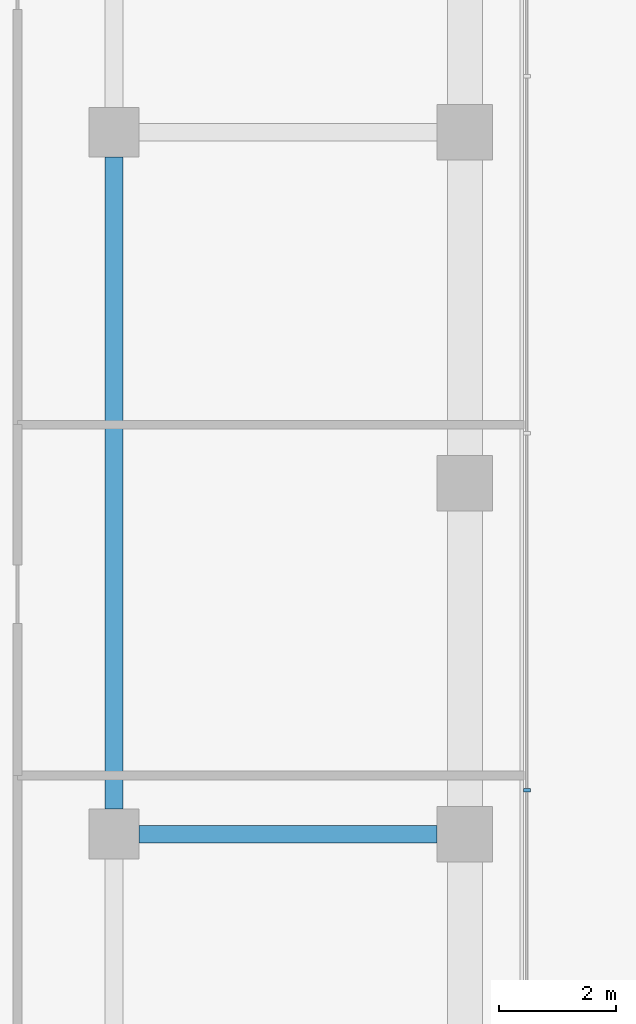
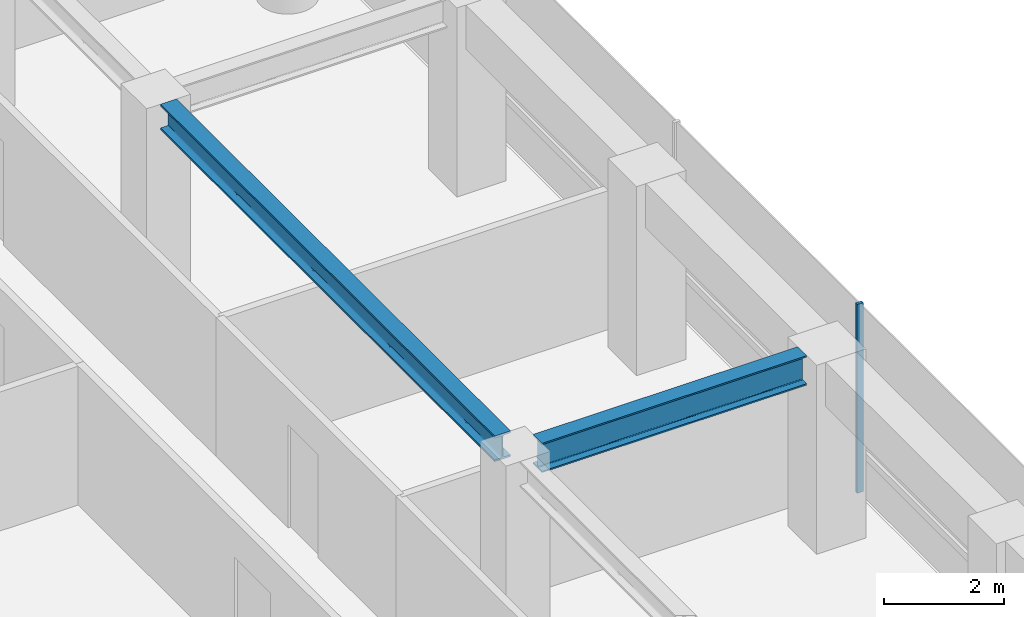
# One storey, part 17 of 29: 2 beams, 1 member, 1 element without a shape of its own.
"""IFC4 building model written with IfcOpenShell, lengths in metres."""

from ifc_helpers import new_model, si_unit, direction, frame, origin, origin_2d, place, context, subcontext, project, spatial, rectangle, i_section, extrude, material, layer, layer_set, material_profile, profile_set, type_object, element, aggregate, save


model = new_model("IFC4")

# Units and contexts
model_context = context("Model", 3, precision=1e-05, world=origin(), true_north=direction((0.0, 1.0)))
body_context = subcontext(model_context, "Body", "Model", "MODEL_VIEW")
ifc_project = project(units=[si_unit("LENGTHUNIT", "METRE"), si_unit("AREAUNIT", "SQUARE_METRE"), si_unit("VOLUMEUNIT", "CUBIC_METRE"), si_unit("PLANEANGLEUNIT", "RADIAN"), si_unit("MASSUNIT", "GRAM", prefix="KILO")], contexts=[model_context])

# Site, building, storey
site_placement = place(None, origin())
site = spatial("IfcSite", under=ifc_project, at=site_placement, CompositionType="ELEMENT")
building_placement = place(site_placement, origin())
building = spatial("IfcBuilding", under=site, at=building_placement, Name="Welwitschia Terrace Campus", CompositionType="ELEMENT")
storey_placement = place(building_placement, frame((0.0, 0.0, 62.60009765625)))
storey = spatial("IfcBuildingStorey", under=building, at=storey_placement, Name="L14", CompositionType="ELEMENT", Elevation=62.60009765625)

# Beam
ifc_material_1 = material(Name="Steel S355", Category="steel")
ifc_material_profile_1 = material_profile(ifc_material_1, i_section(OverallWidth=0.305908203125, OverallDepth=0.52392578125, WebThickness=0.02099609375, FlangeThickness=0.0400390625, FilletRadius=0.027099609375, at=origin_2d()))
ifc_profile_set_1 = profile_set([ifc_material_profile_1], Name="Steel S355")
beam_type_1 = type_object("IfcBeamType", Name="Interior girder HE 500 M", PredefinedType="BEAM", material=ifc_profile_set_1)
beam_1_placement = place(storey_placement, frame((18.0, 44.425537109375, 3.587890625), z_axis=(0.0, 1.0, 0.0), x_axis=(-1.0, 0.0, 0.0)))
element("IfcBeam", 1, at=beam_1_placement, inside=storey, type_object=beam_type_1, Name="Girder GB2", PredefinedType="BEAM", context=body_context, shape_type="SweptSolid", body=[
    extrude(i_section(OverallWidth=0.305908203125, OverallDepth=0.52392578125, WebThickness=0.02099609375, FlangeThickness=0.0400390625, FilletRadius=0.027099609375, at=origin_2d()), origin(), (0.0, 0.0, 1.0), 11.14892578125),
])

# Curtain wall, member
ifc_material_2 = material(Name="Bronze anodised aluminium", Category="aluminium")
ifc_layer = layer(ifc_material_2, 0.1201171875)
ifc_layer_set = layer_set([ifc_layer], Name="Bronze anodised aluminium")
curtain_wall_type = type_object("IfcCurtainWallType", Name="Curtain wall CW2 tower 6000", PredefinedType="NOTDEFINED", material=ifc_layer_set)
curtain_wall_placement = place(storey_placement, origin())
curtain_wall = element("IfcCurtainWall", 2, at=curtain_wall_placement, inside=storey, type_object=curtain_wall_type, Name="CW L14.10.0", PredefinedType="NOTDEFINED")
ifc_material_3 = material(Name="Bronze anodised aluminium", Category="aluminium")
ifc_material_profile_2 = material_profile(ifc_material_3, rectangle(XDim=0.1201171875, YDim=0.06005859375, at=origin_2d()))
ifc_profile_set_2 = profile_set([ifc_material_profile_2], Name="Bronze anodised aluminium")
member_type = type_object("IfcMemberType", Name="Mullion 60x120", PredefinedType="MULLION", material=ifc_profile_set_2)
member_placement = place(storey_placement, frame((25.05810546875, 44.748046875, 0.0), z_axis=(0.0, 0.0, 1.0), x_axis=(-1.0, 0.0, 0.0)))
member = element("IfcMember", 3, at=member_placement, type_object=member_type, Name="Mullion L14.10.0.3", PredefinedType="MULLION", context=body_context, shape_type="SweptSolid", body=[
    extrude(rectangle(XDim=0.1201171875, YDim=0.06005859375, at=origin_2d()), origin(), (0.0, 0.0, 1.0), 3.849853515625),
])
aggregate(curtain_wall, [member])

# Beam
ifc_material_4 = material(Name="Steel S355", Category="steel")
ifc_material_profile_3 = material_profile(ifc_material_4, i_section(OverallWidth=0.300048828125, OverallDepth=0.60009765625, WebThickness=0.015380859375, FlangeThickness=0.030029296875, FilletRadius=0.027099609375, at=origin_2d()))
ifc_profile_set_3 = profile_set([ifc_material_profile_3], Name="Steel S355")
beam_type_2 = type_object("IfcBeamType", Name="Primary beam HE 600 B", PredefinedType="BEAM", material=ifc_profile_set_3)
beam_2_placement = place(storey_placement, frame((23.5244140625, 44.0, 3.5498046875), z_axis=(-1.0, 0.0, 0.0), x_axis=(0.0, -1.0, 0.0)))
element("IfcBeam", 4, at=beam_2_placement, inside=storey, type_object=beam_type_2, Name="Primary beam PB2", PredefinedType="BEAM", context=body_context, shape_type="SweptSolid", body=[
    extrude(i_section(OverallWidth=0.300048828125, OverallDepth=0.60009765625, WebThickness=0.015380859375, FlangeThickness=0.030029296875, FilletRadius=0.027099609375, at=origin_2d()), origin(), (0.0, 0.0, 1.0), 5.098876953125),
])

save(model, "model.ifc")
